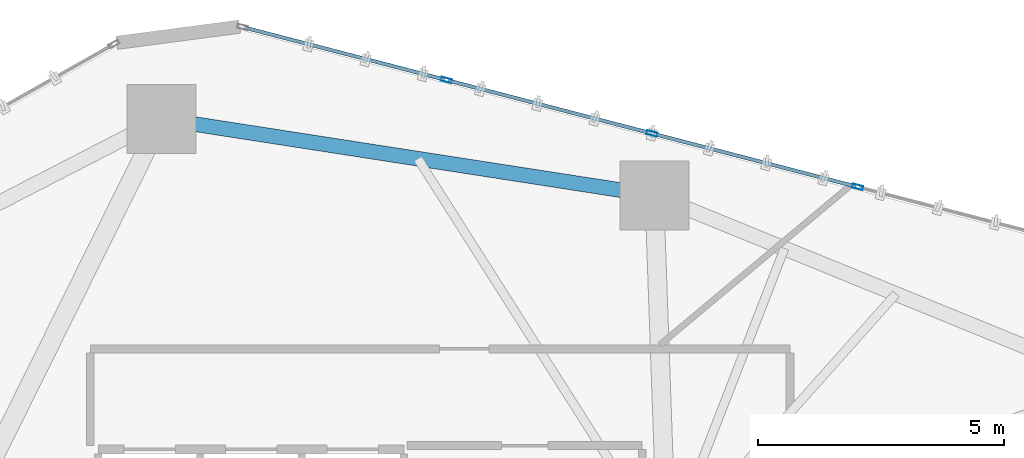
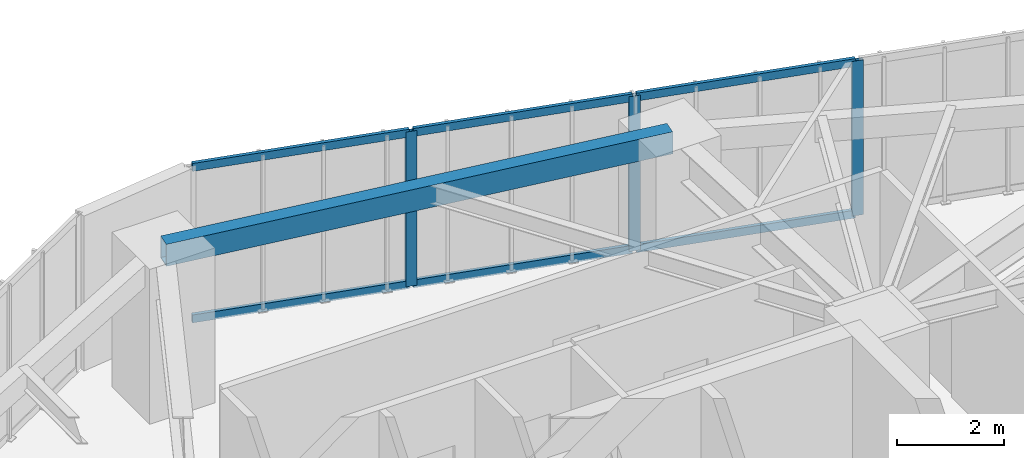
# One storey, part 15 of 23: 9 members, 1 beam, 1 element without a shape of its own.
"""IFC4 building model written with IfcOpenShell, lengths in metres."""

from ifc_helpers import new_model, si_unit, direction, frame, origin, origin_2d, place, context, subcontext, project, spatial, hollow_rectangle, extrude, source, transform, mapped, material, layer, layer_set, material_profile, profile_set, type_object, type_shapes, element, aggregate, save


model = new_model("IFC4")

# Units and contexts
model_context = context("Model", 3, precision=1e-05, world=origin(), true_north=direction((0.0, 1.0)))
body_context = subcontext(model_context, "Body", "Model", "MODEL_VIEW")
ifc_project = project(units=[si_unit("LENGTHUNIT", "METRE"), si_unit("AREAUNIT", "SQUARE_METRE"), si_unit("VOLUMEUNIT", "CUBIC_METRE"), si_unit("PLANEANGLEUNIT", "RADIAN"), si_unit("MASSUNIT", "GRAM", prefix="KILO")], contexts=[model_context])

# Site, building, storey
site_placement = place(None, origin())
site = spatial("IfcSite", under=ifc_project, at=site_placement, CompositionType="ELEMENT")
building_placement = place(site_placement, origin())
building = spatial("IfcBuilding", under=site, at=building_placement, Name="Talar Marvaseh", CompositionType="ELEMENT")
storey_placement = place(building_placement, frame((0.0, 0.0, 46.800048828125)))
storey = spatial("IfcBuildingStorey", under=building, at=storey_placement, Name="L11", CompositionType="ELEMENT", Elevation=46.800048828125)

# Beam
ifc_material_1 = material(Name="Steel S355", Category="steel")
ifc_material_profile_1 = material_profile(ifc_material_1, hollow_rectangle(XDim=0.300048828125, YDim=0.5, WallThickness=0.02001953125, at=origin_2d()), Name="RHS500x300x20")
ifc_profile_set_1 = profile_set([ifc_material_profile_1], Name="Steel S355")
beam_type = type_object("IfcBeamType", Name="Zone 1 Perimeter Spandrel Beam RHS500x300x20", PredefinedType="SPANDREL", material=ifc_profile_set_1)
beam_placement = place(storey_placement, frame((23.047119140625, 45.6669921875, 3.27001953125), z_axis=(0.988210751461, -0.153099675693, 0.0), x_axis=(0.153099675693, 0.988210751461, 0.0)))
element("IfcBeam", 1, at=beam_placement, inside=storey, type_object=beam_type, Name="L11 Zone 1 Perimeter Spandrel Beam RHS500x300x20", PredefinedType="SPANDREL", context=body_context, shape_type="SweptSolid", body=[
    extrude(hollow_rectangle(XDim=0.300048828125, YDim=0.5, WallThickness=0.02001953125, at=origin_2d()), origin(), (0.0, 0.0, 1.0), 10.1181640625),
])

# Curtain wall, members
ifc_material_2 = material(Name="Architectural Aluminium", Category="aluminium")
ifc_layer = layer(ifc_material_2, 0.219970703125)
ifc_layer_set = layer_set([ifc_layer], Name="Architectural Aluminium")
curtain_wall_type = type_object("IfcCurtainWallType", Name="Unitised Low-E Museum Curtain Wall Z1", PredefinedType="NOTDEFINED", material=ifc_layer_set)
curtain_wall_placement = place(storey_placement, origin())
curtain_wall = element("IfcCurtainWall", 2, at=curtain_wall_placement, inside=storey, type_object=curtain_wall_type, Name="L11 Unitised Low-E Museum Curtain Wall Z1", PredefinedType="NOTDEFINED")
ifc_material_profile_2 = material_profile(ifc_material_2, hollow_rectangle(XDim=0.080078125, YDim=0.219970703125, WallThickness=0.0048828125, at=origin_2d()), Name="RHS220x80x5")
ifc_profile_set_2 = profile_set([ifc_material_profile_2], Name="Architectural Aluminium")
member_type_1 = type_object("IfcMemberType", Name="Unitised Curtain Wall Heavy Mullion RHS220x80x5", PredefinedType="MULLION", material=ifc_profile_set_2)
shared_shape_1 = source(origin(), body_context, "Body", "SweptSolid", [
    extrude(hollow_rectangle(XDim=0.080078125, YDim=0.219970703125, WallThickness=0.0048828125, at=origin_2d()), origin(), (0.0, 0.0, 1.0), 3.52001953125),
])
type_shapes(member_type_1, [shared_shape_1])
member_1_placement = place(storey_placement, frame((28.826416015625, 46.456787109375, 0.0), z_axis=(0.0, 0.0, 1.0), x_axis=(0.251524908555, 0.967850825477, 0.0)))
member_1 = element("IfcMember", 3, at=member_1_placement, type_object=member_type_1, Name="CW-Z1 mullion 2", PredefinedType="MULLION", context=body_context, shape_type="MappedRepresentation", body=[
    mapped(shared_shape_1, transform((0.0, 0.0, 0.0), x_axis=(1.0, 0.0, 0.0), y_axis=(0.0, 1.0, 0.0), z_axis=(0.0, 0.0, 1.0), scale=1.0)),
])
member_2_placement = place(storey_placement, frame((32.999755859375, 45.372314453125, 0.0), z_axis=(0.0, 0.0, 1.0), x_axis=(0.251524908555, 0.967850825477, 0.0)))
member_2 = element("IfcMember", 4, at=member_2_placement, type_object=member_type_1, Name="CW-Z1 mullion 3", PredefinedType="MULLION", context=body_context, shape_type="MappedRepresentation", body=[
    mapped(shared_shape_1, transform((0.0, 0.0, 0.0), x_axis=(1.0, 0.0, 0.0), y_axis=(0.0, 1.0, 0.0), z_axis=(0.0, 0.0, 1.0), scale=1.0)),
])
member_3_placement = place(storey_placement, frame((37.1728515625, 44.28759765625, 0.0), z_axis=(0.0, 0.0, 1.0), x_axis=(0.251524908555, 0.967850825477, 0.0)))
member_3 = element("IfcMember", 5, at=member_3_placement, type_object=member_type_1, Name="CW-Z1 mullion 4", PredefinedType="MULLION", context=body_context, shape_type="MappedRepresentation", body=[
    mapped(shared_shape_1, transform((0.0, 0.0, 0.0), x_axis=(1.0, 0.0, 0.0), y_axis=(0.0, 1.0, 0.0), z_axis=(0.0, 0.0, 1.0), scale=1.0)),
])
ifc_material_profile_3 = material_profile(ifc_material_2, hollow_rectangle(XDim=0.074951171875, YDim=0.179931640625, WallThickness=0.0048828125, at=origin_2d()), Name="RHS180x75x5")
ifc_profile_set_3 = profile_set([ifc_material_profile_3], Name="Architectural Aluminium")
member_type_2 = type_object("IfcMemberType", Name="Unitised Curtain Wall Transom RHS180x75x5", PredefinedType="USERDEFINED", material=ifc_profile_set_3)
shared_shape_2 = source(origin(), body_context, "Body", "SweptSolid", [
    extrude(hollow_rectangle(XDim=0.074951171875, YDim=0.179931640625, WallThickness=0.0048828125, at=origin_2d()), origin(), (0.0, 0.0, 1.0), 4.19189453125),
])
member_4_placement = place(storey_placement, frame((24.73046875, 47.521240234375, 0.037353515625), z_axis=(0.967846331224, -0.251542201502, 0.0), x_axis=(0.251542201502, 0.967846331224, 0.0)))
member_4 = element("IfcMember", 6, at=member_4_placement, type_object=member_type_2, Name="CW-Z1 transom 1.1", ObjectType="TRANSOM", PredefinedType="USERDEFINED", context=body_context, shape_type="MappedRepresentation", body=[
    mapped(shared_shape_2, transform((0.0, 0.0, 0.0), x_axis=(1.0, 0.0, 0.0), y_axis=(0.0, 1.0, 0.0), z_axis=(0.0, 0.0, 1.0), scale=1.0)),
])
member_5_placement = place(storey_placement, frame((24.73046875, 47.521240234375, 3.482421875), z_axis=(0.967846331224, -0.251542201502, 0.0), x_axis=(0.251542201502, 0.967846331224, 0.0)))
member_5 = element("IfcMember", 7, at=member_5_placement, type_object=member_type_2, Name="CW-Z1 transom 1.2", ObjectType="TRANSOM", PredefinedType="USERDEFINED", context=body_context, shape_type="MappedRepresentation", body=[
    mapped(shared_shape_2, transform((0.0, 0.0, 0.0), x_axis=(1.0, 0.0, 0.0), y_axis=(0.0, 1.0, 0.0), z_axis=(0.0, 0.0, 1.0), scale=1.0)),
])
shared_shape_3 = source(origin(), body_context, "Body", "SweptSolid", [
    extrude(hollow_rectangle(XDim=0.074951171875, YDim=0.179931640625, WallThickness=0.0048828125, at=origin_2d()), origin(), (0.0, 0.0, 1.0), 4.23193359375),
])
type_shapes(member_type_2, [shared_shape_2, shared_shape_3])
member_6_placement = place(storey_placement, frame((28.864990234375, 46.44677734375, 0.037353515625), z_axis=(0.967850880496, -0.251524696845, 0.0), x_axis=(0.251524696845, 0.967850880496, 0.0)))
member_6 = element("IfcMember", 8, at=member_6_placement, type_object=member_type_2, Name="CW-Z1 transom 2.1", ObjectType="TRANSOM", PredefinedType="USERDEFINED", context=body_context, shape_type="MappedRepresentation", body=[
    mapped(shared_shape_3, transform((0.0, 0.0, 0.0), x_axis=(1.0, 0.0, 0.0), y_axis=(0.0, 1.0, 0.0), z_axis=(0.0, 0.0, 1.0), scale=1.0)),
])
member_7_placement = place(storey_placement, frame((28.864990234375, 46.44677734375, 3.482421875), z_axis=(0.967850880496, -0.251524696845, 0.0), x_axis=(0.251524696845, 0.967850880496, 0.0)))
member_7 = element("IfcMember", 9, at=member_7_placement, type_object=member_type_2, Name="CW-Z1 transom 2.2", ObjectType="TRANSOM", PredefinedType="USERDEFINED", context=body_context, shape_type="MappedRepresentation", body=[
    mapped(shared_shape_3, transform((0.0, 0.0, 0.0), x_axis=(1.0, 0.0, 0.0), y_axis=(0.0, 1.0, 0.0), z_axis=(0.0, 0.0, 1.0), scale=1.0)),
])
member_8_placement = place(storey_placement, frame((33.038330078125, 45.362060546875, 0.037353515625), z_axis=(0.967850880496, -0.251524696845, 0.0), x_axis=(0.251524696845, 0.967850880496, 0.0)))
member_8 = element("IfcMember", 10, at=member_8_placement, type_object=member_type_2, Name="CW-Z1 transom 3.1", ObjectType="TRANSOM", PredefinedType="USERDEFINED", context=body_context, shape_type="MappedRepresentation", body=[
    mapped(shared_shape_3, transform((0.0, 0.0, 0.0), x_axis=(1.0, 0.0, 0.0), y_axis=(0.0, 1.0, 0.0), z_axis=(0.0, 0.0, 1.0), scale=1.0)),
])
member_9_placement = place(storey_placement, frame((33.038330078125, 45.362060546875, 3.482421875), z_axis=(0.967850880496, -0.251524696845, 0.0), x_axis=(0.251524696845, 0.967850880496, 0.0)))
member_9 = element("IfcMember", 11, at=member_9_placement, type_object=member_type_2, Name="CW-Z1 transom 3.2", ObjectType="TRANSOM", PredefinedType="USERDEFINED", context=body_context, shape_type="MappedRepresentation", body=[
    mapped(shared_shape_3, transform((0.0, 0.0, 0.0), x_axis=(1.0, 0.0, 0.0), y_axis=(0.0, 1.0, 0.0), z_axis=(0.0, 0.0, 1.0), scale=1.0)),
])
aggregate(curtain_wall, [member_1, member_2, member_3, member_4, member_5, member_6, member_7, member_8, member_9])

save(model, "model.ifc")
